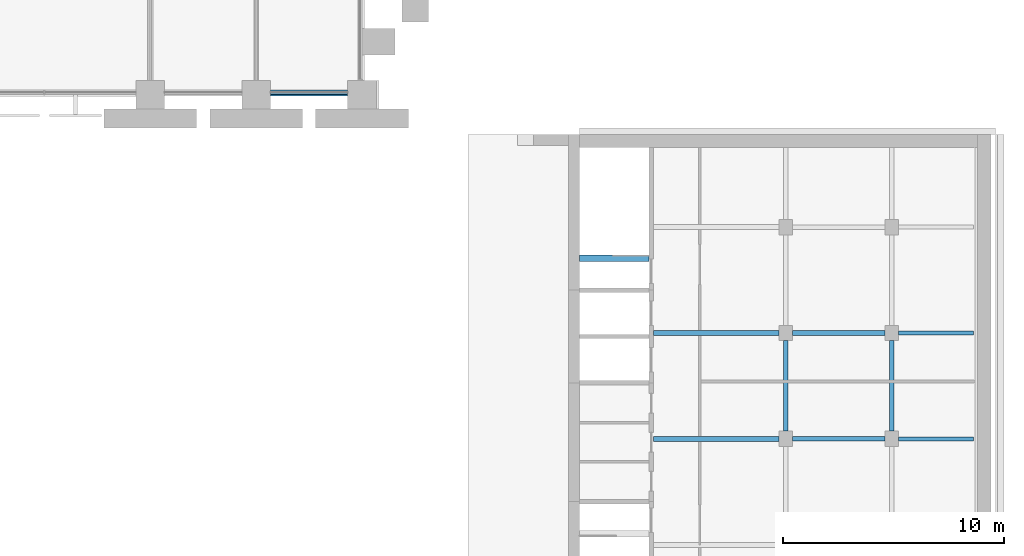
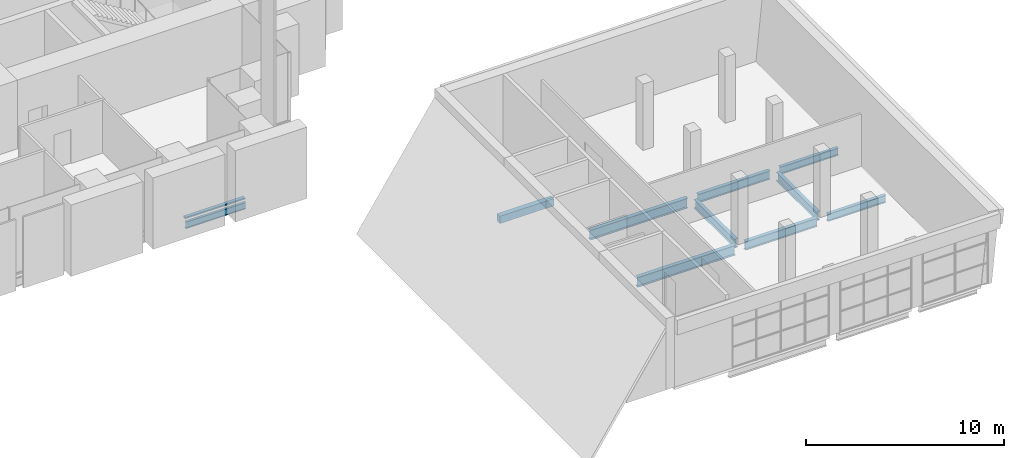
# One storey, part 9 of 22: 10 beams, 1 member, 1 element without a shape of its own.
"""IFC4 building model written with IfcOpenShell, lengths in metres."""

from ifc_helpers import new_model, si_unit, direction, frame, origin, origin_2d, place, context, subcontext, project, spatial, rectangle, i_section, extrude, material, material_profile, profile_set, type_object, element, aggregate, save


model = new_model("IFC4")

# Units and contexts
model_context = context("Model", 3, precision=1e-05, world=origin(), true_north=direction((0.0, 1.0)))
body_context = subcontext(model_context, "Body", "Model", "MODEL_VIEW")
ifc_project = project(units=[si_unit("LENGTHUNIT", "METRE"), si_unit("AREAUNIT", "SQUARE_METRE"), si_unit("VOLUMEUNIT", "CUBIC_METRE"), si_unit("PLANEANGLEUNIT", "RADIAN"), si_unit("MASSUNIT", "GRAM", prefix="KILO")], contexts=[model_context])

# Site, building, storey
site_placement = place(None, origin())
site = spatial("IfcSite", under=ifc_project, at=site_placement, CompositionType="ELEMENT")
building_placement = place(site_placement, origin())
building = spatial("IfcBuilding", under=site, at=building_placement, Name="Baori Bourse Tower", CompositionType="ELEMENT")
storey_placement = place(building_placement, frame((0.0, 0.0, 25.800048828125)))
storey = spatial("IfcBuildingStorey", under=building, at=storey_placement, Name="L04", CompositionType="ELEMENT", Elevation=25.800048828125)

# Curtain wall, member
ifc_material_1 = material(Name="Pale anodised aluminium", Category="aluminium")
curtain_wall_type = type_object("IfcCurtainWallType", Name="CW1 Curtain wall", PredefinedType="NOTDEFINED", material=ifc_material_1)
curtain_wall_placement = place(storey_placement, origin())
curtain_wall = element("IfcCurtainWall", 1, at=curtain_wall_placement, inside=storey, type_object=curtain_wall_type, Name="Curtain wall CW1 L04 11", PredefinedType="NOTDEFINED")
ifc_material_2 = material(Name="Pale anodised aluminium", Category="aluminium")
ifc_material_profile_1 = material_profile(ifc_material_2, rectangle(XDim=0.199951171875, YDim=0.080078125, at=origin_2d()), Name="Transom 80x200")
ifc_profile_set_1 = profile_set([ifc_material_profile_1], Name="Pale anodised aluminium")
member_type = type_object("IfcMemberType", Name="CW1 Curtain wall transom", PredefinedType="USERDEFINED", material=ifc_profile_set_1)
member_placement = place(storey_placement, frame((43.85009765625, 0.10009765625, 0.0400390625), z_axis=(1.0, 0.0, 0.0), x_axis=(0.0, 1.0, 0.0)))
member = element("IfcMember", 2, at=member_placement, type_object=member_type, Name="Curtain wall CW1 sill rail", ObjectType="TRANSOM", PredefinedType="USERDEFINED", context=body_context, shape_type="SweptSolid", body=[
    extrude(rectangle(XDim=0.199951171875, YDim=0.080078125, at=origin_2d()), origin(), (0.0, 0.0, 1.0), 3.5),
])
aggregate(curtain_wall, [member])

# Beams
ifc_material_3 = material(Name="Steel A992 Gr 50", Category="steel")
ifc_material_profile_2 = material_profile(ifc_material_3, i_section(OverallWidth=0.140380859375, OverallDepth=0.40380859375, WebThickness=0.007080078125, FlangeThickness=0.01123046875, at=origin_2d()), Name="W16x31")
ifc_profile_set_2 = profile_set([ifc_material_profile_2], Name="Steel A992 Gr 50")
beam_type_1 = type_object("IfcBeamType", Name="Edge beam W16x31", PredefinedType="BEAM", material=ifc_profile_set_2)
beam_1_placement = place(storey_placement, frame((43.85009765625, 0.0, -0.362060546875), z_axis=(1.0, 0.0, 0.0), x_axis=(0.0, 1.0, 0.0)))
element("IfcBeam", 3, at=beam_1_placement, inside=storey, type_object=beam_type_1, Name="Edge beam L04", PredefinedType="BEAM", context=body_context, shape_type="SweptSolid", body=[
    extrude(i_section(OverallWidth=0.140380859375, OverallDepth=0.40380859375, WebThickness=0.007080078125, FlangeThickness=0.01123046875, at=origin_2d()), origin(), (0.0, 0.0, 1.0), 3.5),
])
ifc_material_4 = material(Name="Concrete f'c 40 MPa", Category="concrete")
ifc_material_profile_3 = material_profile(ifc_material_4, rectangle(XDim=0.300048828125, YDim=0.449951171875, at=origin_2d()), Name="Stair trimmer beam 300x450")
ifc_profile_set_3 = profile_set([ifc_material_profile_3], Name="Concrete f'c 40 MPa")
beam_type_2 = type_object("IfcBeamType", Name="Stair trimmer beam 300x450", PredefinedType="BEAM", material=ifc_profile_set_3)
beam_2_placement = place(storey_placement, frame((61.0, -7.409912109375, -0.385009765625), z_axis=(-1.0, 0.0, 0.0), x_axis=(0.0, -1.0, 0.0)))
element("IfcBeam", 4, at=beam_2_placement, inside=storey, type_object=beam_type_2, Name="wing/L04/Etrimmer/001", PredefinedType="BEAM", context=body_context, shape_type="SweptSolid", body=[
    extrude(rectangle(XDim=0.300048828125, YDim=0.449951171875, at=origin_2d()), origin(), (0.0, 0.0, 1.0), 3.14990234375),
])
ifc_material_5 = material(Name="Steel A992 Gr 50", Category="steel")
ifc_material_profile_4 = material_profile(ifc_material_5, i_section(OverallWidth=0.1904296875, OverallDepth=0.457275390625, WebThickness=0.009033203125, FlangeThickness=0.014404296875, at=origin_2d()), Name="W18x50")
ifc_profile_set_4 = profile_set([ifc_material_profile_4], Name="Steel A992 Gr 50")
beam_type_3 = type_object("IfcBeamType", Name="Wing beam W18x50", PredefinedType="BEAM", material=ifc_profile_set_4)
for number, where, z_axis, x_axis, name in (
    (5, (75.700439453125, -15.60009765625, -0.388671875), (-1.0, 0.0, 0.0), (0.0, -1.0, 0.0), "wing/L04/Ebeam/007"),
    (6, (75.700439453125, -10.800048828125, -0.388671875), (-1.0, 0.0, 0.0), (0.0, -1.0, 0.0), "wing/L04/Ebeam/010"),
):
    element("IfcBeam", number, at=place(storey_placement, frame(where, z_axis=z_axis, x_axis=x_axis)), inside=storey, type_object=beam_type_3, Name=name, PredefinedType="BEAM", context=body_context, shape_type="SweptSolid", body=[
        extrude(i_section(OverallWidth=0.1904296875, OverallDepth=0.457275390625, WebThickness=0.009033203125, FlangeThickness=0.014404296875, at=origin_2d()), origin(), (0.0, 0.0, 1.0), 3.400390625),
    ])
ifc_material_6 = material(Name="Steel A992 Gr 50", Category="steel")
ifc_material_profile_5 = material_profile(ifc_material_6, i_section(OverallWidth=0.209228515625, OverallDepth=0.533447265625, WebThickness=0.01025390625, FlangeThickness=0.015625, at=origin_2d()), Name="W21x62")
ifc_profile_set_5 = profile_set([ifc_material_profile_5], Name="Steel A992 Gr 50")
beam_type_4 = type_object("IfcBeamType", Name="Wing beam W21x62", PredefinedType="BEAM", material=ifc_profile_set_5)
for number, where, z_axis, x_axis, name in (
    (7, (71.699951171875, -15.60009765625, -0.4267578125), (-1.0, 0.0, 0.0), (0.0, -1.0, 0.0), "wing/L04/Ebeam/008"),
    (8, (71.699951171875, -10.800048828125, -0.4267578125), (-1.0, 0.0, 0.0), (0.0, -1.0, 0.0), "wing/L04/Ebeam/011"),
):
    element("IfcBeam", number, at=place(storey_placement, frame(where, z_axis=z_axis, x_axis=x_axis)), inside=storey, type_object=beam_type_4, Name=name, PredefinedType="BEAM", context=body_context, shape_type="SweptSolid", body=[
        extrude(i_section(OverallWidth=0.209228515625, OverallDepth=0.533447265625, WebThickness=0.01025390625, FlangeThickness=0.015625, at=origin_2d()), origin(), (0.0, 0.0, 1.0), 4.199951171875),
    ])
for number, where, z_axis, x_axis, name in (
    (9, (72.0, -15.25, -0.4267578125), (0.0, 1.0, 0.0), (-1.0, 0.0, 0.0), "wing/L04/Ebeamy/003"),
    (10, (67.199951171875, -15.25, -0.4267578125), (0.0, 1.0, 0.0), (-1.0, 0.0, 0.0), "wing/L04/Ebeamy/008"),
):
    element("IfcBeam", number, at=place(storey_placement, frame(where, z_axis=z_axis, x_axis=x_axis)), inside=storey, type_object=beam_type_4, Name=name, PredefinedType="BEAM", context=body_context, shape_type="SweptSolid", body=[
        extrude(i_section(OverallWidth=0.209228515625, OverallDepth=0.533447265625, WebThickness=0.01025390625, FlangeThickness=0.015625, at=origin_2d()), origin(), (0.0, 0.0, 1.0), 4.10009765625),
    ])
ifc_material_7 = material(Name="Steel A992 Gr 50", Category="steel")
ifc_material_profile_6 = material_profile(ifc_material_7, i_section(OverallWidth=0.22900390625, OverallDepth=0.612060546875, WebThickness=0.011962890625, FlangeThickness=0.01953125, at=origin_2d()), Name="W24x84")
ifc_profile_set_6 = profile_set([ifc_material_profile_6], Name="Steel A992 Gr 50")
beam_type_5 = type_object("IfcBeamType", Name="Wing beam W24x84", PredefinedType="BEAM", material=ifc_profile_set_6)
for number, where, z_axis, x_axis, name in (
    (11, (66.89990234375, -15.60009765625, -0.466064453125), (-1.0, 0.0, 0.0), (0.0, -1.0, 0.0), "wing/L04/Ebeam/009"),
    (12, (66.89990234375, -10.800048828125, -0.466064453125), (-1.0, 0.0, 0.0), (0.0, -1.0, 0.0), "wing/L04/Ebeam/012"),
):
    element("IfcBeam", number, at=place(storey_placement, frame(where, z_axis=z_axis, x_axis=x_axis)), inside=storey, type_object=beam_type_5, Name=name, PredefinedType="BEAM", context=body_context, shape_type="SweptSolid", body=[
        extrude(i_section(OverallWidth=0.22900390625, OverallDepth=0.612060546875, WebThickness=0.011962890625, FlangeThickness=0.01953125, at=origin_2d()), origin(), (0.0, 0.0, 1.0), 5.699951171875),
    ])

save(model, "model.ifc")
